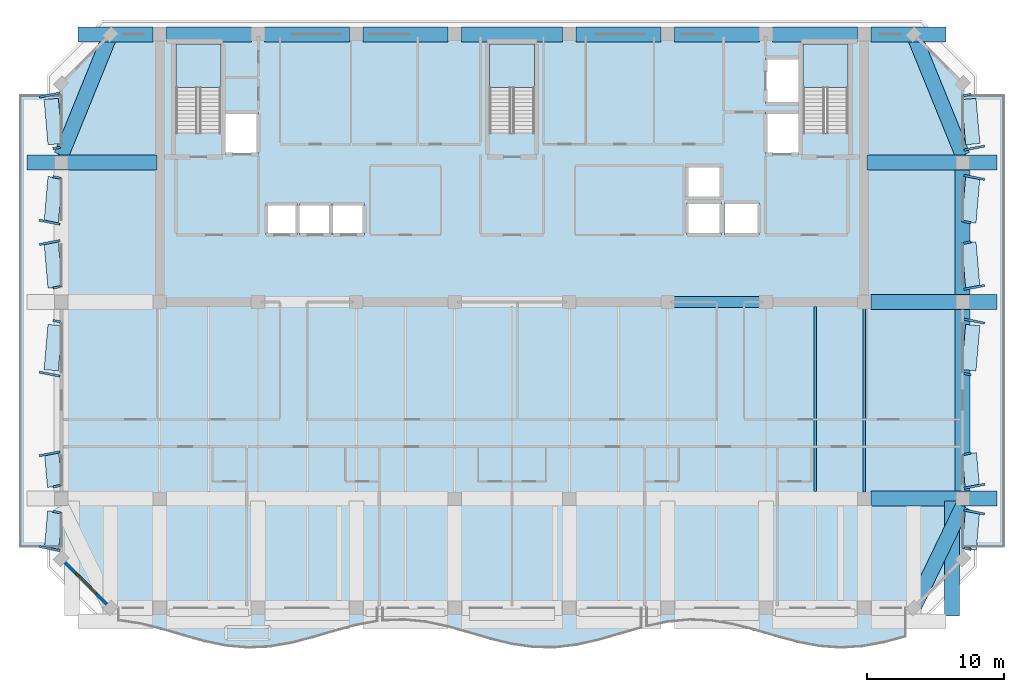
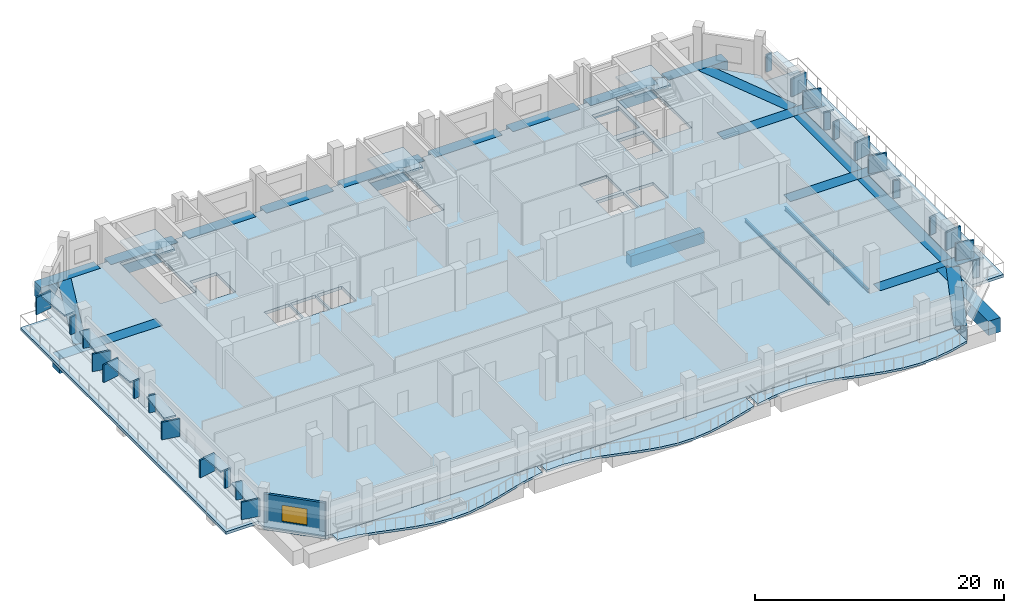
# One storey, part 2 of 12: 36 plates, 22 beams, 9 slabs, 1 wall, 1 window, 1 opening, 3 elements without a shape of their own.
"""IFC4 building model written with IfcOpenShell, lengths in metres."""

from ifc_helpers import new_model, si_unit, direction, frame, frame_2d, origin, origin_2d, place, context, subcontext, project, spatial, polyline, rectangle, i_section, outline, extrude, material, layer, layer_set, material_profile, profile_set, type_object, element, fill, aggregate, save


model = new_model("IFC4")

# Units and contexts
model_context = context("Model", 3, precision=1e-05, world=origin(), true_north=direction((0.0, 1.0)))
body_context = subcontext(model_context, "Body", "Model", "MODEL_VIEW")
ifc_project = project(units=[si_unit("LENGTHUNIT", "METRE"), si_unit("AREAUNIT", "SQUARE_METRE"), si_unit("VOLUMEUNIT", "CUBIC_METRE"), si_unit("PLANEANGLEUNIT", "RADIAN"), si_unit("MASSUNIT", "GRAM", prefix="KILO")], contexts=[model_context])

# Site, building, storey
site_placement = place(None, origin())
site = spatial("IfcSite", under=ifc_project, at=site_placement, CompositionType="ELEMENT")
building_placement = place(site_placement, origin())
building = spatial("IfcBuilding", under=site, at=building_placement, Name="Kaelvorn Grand Hotel", CompositionType="ELEMENT")
storey_placement = place(building_placement, frame((0.0, 0.0, 285.89990234375)))
storey = spatial("IfcBuildingStorey", under=building, at=storey_placement, Name="L70", CompositionType="ELEMENT", Elevation=285.89990234375)

# Beams
ifc_material_1 = material(Name="Steel S355", Category="steel")
ifc_material_profile_1 = material_profile(ifc_material_1, i_section(OverallWidth=0.169921875, OverallDepth=0.360107421875, WebThickness=0.008056640625, FlangeThickness=0.0126953125, FilletRadius=0.01806640625, at=origin_2d()), Name="IPE 360")
ifc_profile_set_1 = profile_set([ifc_material_profile_1], Name="Steel S355")
beam_type_1 = type_object("IfcBeamType", Name="BM-J-IPE360-S355", PredefinedType="JOIST", material=ifc_profile_set_1)
beam_1_placement = place(storey_placement, frame((64.199951171875, 15.534912109375, -0.47998046875), z_axis=(0.0, 1.0, 0.0), x_axis=(-1.0, 0.0, 0.0)))
element("IfcBeam", 1, at=beam_1_placement, inside=storey, type_object=beam_type_1, Name="L70 Composite Floor Joist JM-18", PredefinedType="JOIST", context=body_context, shape_type="SweptSolid", body=[
    extrude(i_section(OverallWidth=0.169921875, OverallDepth=0.360107421875, WebThickness=0.008056640625, FlangeThickness=0.0126953125, FilletRadius=0.01806640625, at=origin_2d()), origin(), (0.0, 0.0, 1.0), 13.525146484375),
])
beam_2_placement = place(storey_placement, frame((67.800048828125, 15.485107421875, -0.47998046875), z_axis=(0.0, 1.0, 0.0), x_axis=(-1.0, 0.0, 0.0)))
element("IfcBeam", 2, at=beam_2_placement, inside=storey, type_object=beam_type_1, Name="L70 Composite Floor Joist JM-19", PredefinedType="JOIST", context=body_context, shape_type="SweptSolid", body=[
    extrude(i_section(OverallWidth=0.169921875, OverallDepth=0.360107421875, WebThickness=0.008056640625, FlangeThickness=0.0126953125, FilletRadius=0.01806640625, at=origin_2d()), origin(), (0.0, 0.0, 1.0), 13.429931640625),
])
ifc_material_2 = material(Name="Concrete C60/75", Category="concrete")
ifc_material_profile_2 = material_profile(ifc_material_2, rectangle(XDim=0.800048828125, YDim=1.10009765625, at=origin_2d()), Name="RC LINTEL 800x1100")
ifc_profile_set_2 = profile_set([ifc_material_profile_2], Name="Concrete C60/75")
beam_type_2 = type_object("IfcBeamType", Name="BM-LIN-800x1100-C60", PredefinedType="LINTEL", material=ifc_profile_set_2)
beam_3_placement = place(storey_placement, frame((53.580078125, 29.39990234375, -0.849853515625), z_axis=(1.0, 0.0, 0.0), x_axis=(0.0, 1.0, 0.0)))
element("IfcBeam", 3, at=beam_3_placement, inside=storey, type_object=beam_type_2, Name="L70 Rear-Core Coupling Lintel Beam CB1-03", PredefinedType="LINTEL", context=body_context, shape_type="SweptSolid", body=[
    extrude(rectangle(XDim=0.800048828125, YDim=1.10009765625, at=origin_2d()), origin(), (0.0, 0.0, 1.0), 6.83984375),
])
ifc_material_profile_3 = material_profile(ifc_material_2, rectangle(XDim=1.10009765625, YDim=1.39990234375, at=origin_2d()), Name="RC TG 1100x1400")
ifc_profile_set_3 = profile_set([ifc_material_profile_3], Name="Concrete C60/75")
beam_type_3 = type_object("IfcBeamType", Name="BM-TG-1100x1400-C60", PredefinedType="USERDEFINED", material=ifc_profile_set_3)
beam_4_placement = place(storey_placement, frame((68.284912109375, 15.0, -0.699951171875), z_axis=(1.0, 0.0, 0.0), x_axis=(0.0, 1.0, 0.0)))
element("IfcBeam", 4, at=beam_4_placement, inside=storey, type_object=beam_type_3, Name="L70 Setback Spine Transfer Girder TG2-M15 05", ObjectType="TRANSFER GIRDER", PredefinedType="USERDEFINED", context=body_context, shape_type="SweptSolid", body=[
    extrude(rectangle(XDim=1.10009765625, YDim=1.39990234375, at=origin_2d()), origin(), (0.0, 0.0, 1.0), 9.22998046875),
])
beam_5_placement = place(storey_placement, frame((74.199951171875, 6.405029296875, -0.699951171875), z_axis=(0.0, 1.0, 0.0), x_axis=(-1.0, 0.0, 0.0)))
element("IfcBeam", 5, at=beam_5_placement, inside=storey, type_object=beam_type_3, Name="L70 Setback Radial Transfer Girder TG2-S10 01", ObjectType="TRANSFER GIRDER", PredefinedType="USERDEFINED", context=body_context, shape_type="SweptSolid", body=[
    extrude(rectangle(XDim=1.10009765625, YDim=1.39990234375, at=origin_2d()), origin(), (0.0, 0.0, 1.0), 8.409912109375),
])
beam_6_placement = place(storey_placement, frame((68.284912109375, 29.39990234375, -0.699951171875), z_axis=(1.0, 0.0, 0.0), x_axis=(0.0, 1.0, 0.0)))
element("IfcBeam", 6, at=beam_6_placement, inside=storey, type_object=beam_type_3, Name="L70 Setback Radial Transfer Girder TG2-E01 01", ObjectType="TRANSFER GIRDER", PredefinedType="USERDEFINED", context=body_context, shape_type="SweptSolid", body=[
    extrude(rectangle(XDim=1.10009765625, YDim=1.39990234375, at=origin_2d()), origin(), (0.0, 0.0, 1.0), 9.22998046875),
])
for number, where, z_axis, x_axis, name in (
    (7, (6.485107421875, 39.60009765625, -0.699951171875), (1.0, 0.0, 0.0), (0.0, 1.0, 0.0), "L70 Setback Radial Transfer Girder TG2-W02 01"),
    (8, (67.985107421875, 39.60009765625, -0.699951171875), (1.0, 0.0, 0.0), (0.0, 1.0, 0.0), "L70 Setback Radial Transfer Girder TG2-E02 01"),
):
    element("IfcBeam", number, at=place(storey_placement, frame(where, z_axis=z_axis, x_axis=x_axis)), inside=storey, type_object=beam_type_3, Name=name, ObjectType="TRANSFER GIRDER", PredefinedType="USERDEFINED", context=body_context, shape_type="SweptSolid", body=[
        extrude(rectangle(XDim=1.10009765625, YDim=1.39990234375, at=origin_2d()), origin(), (0.0, 0.0, 1.0), 9.52978515625),
    ])
beam_7_placement = place(storey_placement, frame((10.205078125, 49.0, -0.699951171875), z_axis=(1.0, 0.0, 0.0), x_axis=(0.0, 1.0, 0.0)))
element("IfcBeam", 9, at=beam_7_placement, inside=storey, type_object=beam_type_3, Name="L70 Setback North Transfer Girder 01", ObjectType="TRANSFER GIRDER", PredefinedType="USERDEFINED", context=body_context, shape_type="SweptSolid", body=[
    extrude(rectangle(XDim=1.10009765625, YDim=1.39990234375, at=origin_2d()), origin(), (0.0, 0.0, 1.0), 5.510009765625),
])
for number, where, z_axis, x_axis, name in (
    (10, (16.68505859375, 49.0, -0.699951171875), (1.0, 0.0, 0.0), (0.0, 1.0, 0.0), "L70 Setback North Transfer Girder 02"),
    (11, (23.885009765625, 49.0, -0.699951171875), (1.0, 0.0, 0.0), (0.0, 1.0, 0.0), "L70 Setback North Transfer Girder 03"),
    (12, (31.0849609375, 49.0, -0.699951171875), (1.0, 0.0, 0.0), (0.0, 1.0, 0.0), "L70 Setback North Transfer Girder 04"),
):
    element("IfcBeam", number, at=place(storey_placement, frame(where, z_axis=z_axis, x_axis=x_axis)), inside=storey, type_object=beam_type_3, Name=name, ObjectType="TRANSFER GIRDER", PredefinedType="USERDEFINED", context=body_context, shape_type="SweptSolid", body=[
        extrude(rectangle(XDim=1.10009765625, YDim=1.39990234375, at=origin_2d()), origin(), (0.0, 0.0, 1.0), 6.22998046875),
    ])
beam_8_placement = place(storey_placement, frame((38.284912109375, 49.0, -0.699951171875), z_axis=(1.0, 0.0, 0.0), x_axis=(0.0, 1.0, 0.0)))
element("IfcBeam", 13, at=beam_8_placement, inside=storey, type_object=beam_type_3, Name="L70 Setback North Transfer Girder 05", ObjectType="TRANSFER GIRDER", PredefinedType="USERDEFINED", context=body_context, shape_type="SweptSolid", body=[
    extrude(rectangle(XDim=1.10009765625, YDim=1.39990234375, at=origin_2d()), origin(), (0.0, 0.0, 1.0), 7.43017578125),
])
for number, where, z_axis, x_axis, name in (
    (14, (46.68505859375, 49.0, -0.699951171875), (1.0, 0.0, 0.0), (0.0, 1.0, 0.0), "L70 Setback North Transfer Girder 06"),
    (15, (53.885009765625, 49.0, -0.699951171875), (1.0, 0.0, 0.0), (0.0, 1.0, 0.0), "L70 Setback North Transfer Girder 07"),
    (16, (61.0849609375, 49.0, -0.699951171875), (1.0, 0.0, 0.0), (0.0, 1.0, 0.0), "L70 Setback North Transfer Girder 08"),
):
    element("IfcBeam", number, at=place(storey_placement, frame(where, z_axis=z_axis, x_axis=x_axis)), inside=storey, type_object=beam_type_3, Name=name, ObjectType="TRANSFER GIRDER", PredefinedType="USERDEFINED", context=body_context, shape_type="SweptSolid", body=[
        extrude(rectangle(XDim=1.10009765625, YDim=1.39990234375, at=origin_2d()), origin(), (0.0, 0.0, 1.0), 6.22998046875),
    ])
beam_9_placement = place(storey_placement, frame((68.284912109375, 49.0, -0.699951171875), z_axis=(1.0, 0.0, 0.0), x_axis=(0.0, 1.0, 0.0)))
element("IfcBeam", 17, at=beam_9_placement, inside=storey, type_object=beam_type_3, Name="L70 Setback North Transfer Girder 09", ObjectType="TRANSFER GIRDER", PredefinedType="USERDEFINED", context=body_context, shape_type="SweptSolid", body=[
    extrude(rectangle(XDim=1.10009765625, YDim=1.39990234375, at=origin_2d()), origin(), (0.0, 0.0, 1.0), 5.510009765625),
])
beam_10_placement = place(storey_placement, frame((75.0, 15.52490234375, -0.699951171875), z_axis=(0.0, 1.0, 0.0), x_axis=(-1.0, 0.0, 0.0)))
element("IfcBeam", 18, at=beam_10_placement, inside=storey, type_object=beam_type_3, Name="L70 Setback E Ring Transfer Girder 01", ObjectType="TRANSFER GIRDER", PredefinedType="USERDEFINED", context=body_context, shape_type="SweptSolid", body=[
    extrude(rectangle(XDim=1.10009765625, YDim=1.39990234375, at=origin_2d()), origin(), (0.0, 0.0, 1.0), 13.35009765625),
])
beam_11_placement = place(storey_placement, frame((75.0, 29.925048828125, -0.699951171875), z_axis=(0.0, 1.0, 0.0), x_axis=(-1.0, 0.0, 0.0)))
element("IfcBeam", 19, at=beam_11_placement, inside=storey, type_object=beam_type_3, Name="L70 Setback E Ring Transfer Girder 02", ObjectType="TRANSFER GIRDER", PredefinedType="USERDEFINED", context=body_context, shape_type="SweptSolid", body=[
    extrude(rectangle(XDim=1.10009765625, YDim=1.39990234375, at=origin_2d()), origin(), (0.0, 0.0, 1.0), 9.14990234375),
])
beam_12_placement = place(storey_placement, frame((71.39990234375, 7.0, -0.699951171875), z_axis=(0.435098896695, 0.9003826687, 0.0), x_axis=(-0.9003826687, 0.435098896695, 0.0)))
element("IfcBeam", 20, at=beam_12_placement, inside=storey, type_object=beam_type_3, Name="L70 Setback Chamfer Transfer Girder 2", ObjectType="TRANSFER GIRDER", PredefinedType="USERDEFINED", context=body_context, shape_type="SweptSolid", body=[
    extrude(rectangle(XDim=1.10009765625, YDim=1.39990234375, at=origin_2d()), origin(), (0.0, 0.0, 1.0), 8.274169921875),
])
for number, where, z_axis, x_axis, name in (
    (21, (75.0, 40.14990234375, -0.699951171875), (-0.376803331737, 0.926293284652, 0.0), (-0.926293284652, -0.376803331737, 0.0), "L70 Setback Chamfer Transfer Girder 3"),
    (22, (12.60009765625, 49.0, -0.699951171875), (-0.376803331737, -0.926293284652, 0.0), (0.926293284652, -0.376803331737, 0.0), "L70 Setback Chamfer Transfer Girder 4"),
):
    element("IfcBeam", number, at=place(storey_placement, frame(where, z_axis=z_axis, x_axis=x_axis)), inside=storey, type_object=beam_type_3, Name=name, ObjectType="TRANSFER GIRDER", PredefinedType="USERDEFINED", context=body_context, shape_type="SweptSolid", body=[
        extrude(rectangle(XDim=1.10009765625, YDim=1.39990234375, at=origin_2d()), origin(), (0.0, 0.0, 1.0), 9.55419921875),
    ])

# Plates
ifc_material_3 = material(Name="Precast concrete C45/55", Category="concrete")
ifc_layer_1 = layer(ifc_material_3, 0.159912109375)
ifc_layer_set_1 = layer_set([ifc_layer_1], Name="Precast concrete C45/55")
plate_type_1 = type_object("IfcPlateType", Name="PL-FRAME-DEEP-1550", PredefinedType="USERDEFINED", material=ifc_layer_set_1)
for number, where, z_axis, x_axis, name in (
    (23, (75.844970703125, 14.02490234375, 0.740234375), (0.0, 0.0, 1.0), (0.190808995377, 0.981627183448, 0.0), "L70 Tilted Precast Window Frame Fin R-E01"),
    (24, (75.844970703125, 15.909912109375, 0.7900390625), (0.0, 0.0, 1.0), (-0.190808995377, 0.981627183448, 0.0), "L70 Tilted Precast Window Frame Fin L-E02"),
    (25, (75.844970703125, 28.0, 0.81494140625), (0.0, 0.0, 1.0), (0.190808995377, 0.981627183448, 0.0), "L70 Tilted Precast Window Frame Fin R-E03"),
    (26, (75.844970703125, 30.47509765625, 0.740234375), (0.0, 0.0, 1.0), (-0.190808995377, 0.981627183448, 0.0), "L70 Tilted Precast Window Frame Fin L-E04"),
    (27, (75.844970703125, 38.52490234375, 0.740234375), (0.0, 0.0, 1.0), (0.190808995377, 0.981627183448, 0.0), "L70 Tilted Precast Window Frame Fin R-E05"),
    (28, (75.844970703125, 40.675048828125, 0.81494140625), (0.0, 0.0, 1.0), (-0.190808995377, 0.981627183448, 0.0), "L70 Tilted Precast Window Frame Fin L-E06"),
    (29, (8.155029296875, 11.344970703125, 0.740234375), (0.0, 0.0, 1.0), (0.190808995377, 0.981627183448, 0.0), "L70 Tilted Precast Window Frame Fin L-W01"),
    (30, (8.155029296875, 18.2900390625, 0.7900390625), (0.0, 0.0, 1.0), (-0.190808995377, 0.981627183448, 0.0), "L70 Tilted Precast Window Frame Fin R-W02"),
    (31, (8.155029296875, 24.1201171875, 0.81494140625), (0.0, 0.0, 1.0), (0.190808995377, 0.981627183448, 0.0), "L70 Tilted Precast Window Frame Fin L-W03"),
    (32, (8.155029296875, 33.7548828125, 0.740234375), (0.0, 0.0, 1.0), (-0.190808995377, 0.981627183448, 0.0), "L70 Tilted Precast Window Frame Fin R-W04"),
    (33, (8.155029296875, 35.2451171875, 0.740234375), (0.0, 0.0, 1.0), (0.190808995377, 0.981627183448, 0.0), "L70 Tilted Precast Window Frame Fin L-W05"),
    (34, (8.155029296875, 44.554931640625, 0.81494140625), (0.0, 0.0, 1.0), (-0.190808995377, 0.981627183448, 0.0), "L70 Tilted Precast Window Frame Fin R-W06"),
):
    element("IfcPlate", number, at=place(storey_placement, frame(where, z_axis=z_axis, x_axis=x_axis)), inside=storey, type_object=plate_type_1, Name=name, ObjectType="FLANGE_PLATE", PredefinedType="USERDEFINED", context=body_context, shape_type="SweptSolid", body=[
        extrude(rectangle(XDim=0.159912109375, YDim=1.550048828125, at=origin_2d()), origin(), (0.0, 0.0, 1.0), 1.719970703125),
    ])
ifc_layer_2 = layer(ifc_material_3, 0.159912109375)
ifc_layer_set_2 = layer_set([ifc_layer_2], Name="Precast concrete C45/55")
plate_type_2 = type_object("IfcPlateType", Name="PL-FRAME-HEAD-1050", PredefinedType="USERDEFINED", material=ifc_layer_set_2)
plate_1_placement = place(storey_placement, frame((75.594970703125, 12.68505859375, 2.35009765625), z_axis=(0.0, 0.0, 1.0), x_axis=(0.086286365798, 0.996270376493, 0.0)))
element("IfcPlate", 35, at=plate_1_placement, inside=storey, type_object=plate_type_2, Name="L70 Precast Window Frame Head Hood H-E01", ObjectType="FLANGE_PLATE", PredefinedType="USERDEFINED", context=body_context, shape_type="SweptSolid", body=[
    extrude(rectangle(XDim=2.760009765625, YDim=1.050048828125, at=origin_2d()), origin(), (0.0, 0.0, 1.0), 0.159912109375),
])
plate_2_placement = place(storey_placement, frame((75.594970703125, 17.10009765625, 2.4501953125), z_axis=(0.0, 0.0, 1.0), x_axis=(-0.086286365798, 0.996270376493, 0.0)))
element("IfcPlate", 36, at=plate_2_placement, inside=storey, type_object=plate_type_2, Name="L70 Precast Window Frame Head Hood H-E02", ObjectType="FLANGE_PLATE", PredefinedType="USERDEFINED", context=body_context, shape_type="SweptSolid", body=[
    extrude(rectangle(XDim=2.4599609375, YDim=1.050048828125, at=origin_2d()), origin(), (0.0, 0.0, 1.0), 0.159912109375),
])
for number, where, z_axis, x_axis, name in (
    (37, (75.594970703125, 26.06005859375, 2.5), (0.0, 0.0, 1.0), (0.086286365798, 0.996270376493, 0.0), "L70 Precast Window Frame Head Hood H-E03"),
    (38, (75.594970703125, 32.114990234375, 2.35009765625), (0.0, 0.0, 1.0), (-0.086286365798, 0.996270376493, 0.0), "L70 Precast Window Frame Head Hood H-E04"),
    (39, (75.594970703125, 36.885009765625, 2.35009765625), (0.0, 0.0, 1.0), (0.086286365798, 0.996270376493, 0.0), "L70 Precast Window Frame Head Hood H-E05"),
    (40, (75.594970703125, 42.614990234375, 2.5), (0.0, 0.0, 1.0), (-0.086286365798, 0.996270376493, 0.0), "L70 Precast Window Frame Head Hood H-E06"),
):
    element("IfcPlate", number, at=place(storey_placement, frame(where, z_axis=z_axis, x_axis=x_axis)), inside=storey, type_object=plate_type_2, Name=name, ObjectType="FLANGE_PLATE", PredefinedType="USERDEFINED", context=body_context, shape_type="SweptSolid", body=[
        extrude(rectangle(XDim=3.320068359375, YDim=1.050048828125, at=origin_2d()), origin(), (0.0, 0.0, 1.0), 0.159912109375),
    ])
plate_3_placement = place(storey_placement, frame((8.405029296875, 12.68505859375, 2.35009765625), z_axis=(0.0, 0.0, 1.0), x_axis=(0.086286365798, 0.996270376493, 0.0)))
element("IfcPlate", 41, at=plate_3_placement, inside=storey, type_object=plate_type_2, Name="L70 Precast Window Frame Head Hood H-W01", ObjectType="FLANGE_PLATE", PredefinedType="USERDEFINED", context=body_context, shape_type="SweptSolid", body=[
    extrude(rectangle(XDim=2.760009765625, YDim=1.050048828125, at=origin_2d()), origin(), (0.0, 0.0, 1.0), 0.159912109375),
])
plate_4_placement = place(storey_placement, frame((8.405029296875, 17.10009765625, 2.4501953125), z_axis=(0.0, 0.0, 1.0), x_axis=(-0.086286365798, 0.996270376493, 0.0)))
element("IfcPlate", 42, at=plate_4_placement, inside=storey, type_object=plate_type_2, Name="L70 Precast Window Frame Head Hood H-W02", ObjectType="FLANGE_PLATE", PredefinedType="USERDEFINED", context=body_context, shape_type="SweptSolid", body=[
    extrude(rectangle(XDim=2.4599609375, YDim=1.050048828125, at=origin_2d()), origin(), (0.0, 0.0, 1.0), 0.159912109375),
])
for number, where, z_axis, x_axis, name in (
    (43, (8.405029296875, 26.06005859375, 2.5), (0.0, 0.0, 1.0), (0.086286365798, 0.996270376493, 0.0), "L70 Precast Window Frame Head Hood H-W03"),
    (44, (8.405029296875, 32.114990234375, 2.35009765625), (0.0, 0.0, 1.0), (-0.086286365798, 0.996270376493, 0.0), "L70 Precast Window Frame Head Hood H-W04"),
    (45, (8.405029296875, 36.885009765625, 2.35009765625), (0.0, 0.0, 1.0), (0.086286365798, 0.996270376493, 0.0), "L70 Precast Window Frame Head Hood H-W05"),
    (46, (8.405029296875, 42.614990234375, 2.5), (0.0, 0.0, 1.0), (-0.086286365798, 0.996270376493, 0.0), "L70 Precast Window Frame Head Hood H-W06"),
):
    element("IfcPlate", number, at=place(storey_placement, frame(where, z_axis=z_axis, x_axis=x_axis)), inside=storey, type_object=plate_type_2, Name=name, ObjectType="FLANGE_PLATE", PredefinedType="USERDEFINED", context=body_context, shape_type="SweptSolid", body=[
        extrude(rectangle(XDim=3.320068359375, YDim=1.050048828125, at=origin_2d()), origin(), (0.0, 0.0, 1.0), 0.159912109375),
    ])
ifc_layer_3 = layer(ifc_material_3, 0.159912109375)
ifc_layer_set_3 = layer_set([ifc_layer_3], Name="Precast concrete C45/55")
plate_type_3 = type_object("IfcPlateType", Name="PL-FRAME-SHAL-550", PredefinedType="USERDEFINED", material=ifc_layer_set_3)
for number, where, z_axis, x_axis, name in (
    (47, (75.344970703125, 11.344970703125, 0.740234375), (0.0, 0.0, 1.0), (0.190808995377, 0.981627183448, 0.0), "L70 Tilted Precast Window Frame Fin L-E01"),
    (48, (75.344970703125, 18.2900390625, 0.7900390625), (0.0, 0.0, 1.0), (-0.190808995377, 0.981627183448, 0.0), "L70 Tilted Precast Window Frame Fin R-E02"),
    (49, (75.344970703125, 24.1201171875, 0.81494140625), (0.0, 0.0, 1.0), (0.190808995377, 0.981627183448, 0.0), "L70 Tilted Precast Window Frame Fin L-E03"),
    (50, (75.344970703125, 33.7548828125, 0.740234375), (0.0, 0.0, 1.0), (-0.190808995377, 0.981627183448, 0.0), "L70 Tilted Precast Window Frame Fin R-E04"),
    (51, (75.344970703125, 35.2451171875, 0.740234375), (0.0, 0.0, 1.0), (0.190808995377, 0.981627183448, 0.0), "L70 Tilted Precast Window Frame Fin L-E05"),
    (52, (75.344970703125, 44.554931640625, 0.81494140625), (0.0, 0.0, 1.0), (-0.190808995377, 0.981627183448, 0.0), "L70 Tilted Precast Window Frame Fin R-E06"),
    (53, (8.655029296875, 14.02490234375, 0.740234375), (0.0, 0.0, 1.0), (0.190808995377, 0.981627183448, 0.0), "L70 Tilted Precast Window Frame Fin R-W01"),
    (54, (8.655029296875, 15.909912109375, 0.7900390625), (0.0, 0.0, 1.0), (-0.190808995377, 0.981627183448, 0.0), "L70 Tilted Precast Window Frame Fin L-W02"),
    (55, (8.655029296875, 28.0, 0.81494140625), (0.0, 0.0, 1.0), (0.190808995377, 0.981627183448, 0.0), "L70 Tilted Precast Window Frame Fin R-W03"),
    (56, (8.655029296875, 30.47509765625, 0.740234375), (0.0, 0.0, 1.0), (-0.190808995377, 0.981627183448, 0.0), "L70 Tilted Precast Window Frame Fin L-W04"),
    (57, (8.655029296875, 38.52490234375, 0.740234375), (0.0, 0.0, 1.0), (0.190808995377, 0.981627183448, 0.0), "L70 Tilted Precast Window Frame Fin R-W05"),
    (58, (8.655029296875, 40.675048828125, 0.81494140625), (0.0, 0.0, 1.0), (-0.190808995377, 0.981627183448, 0.0), "L70 Tilted Precast Window Frame Fin L-W06"),
):
    element("IfcPlate", number, at=place(storey_placement, frame(where, z_axis=z_axis, x_axis=x_axis)), inside=storey, type_object=plate_type_3, Name=name, ObjectType="FLANGE_PLATE", PredefinedType="USERDEFINED", context=body_context, shape_type="SweptSolid", body=[
        extrude(rectangle(XDim=0.159912109375, YDim=0.550048828125, at=origin_2d()), origin(), (0.0, 0.0, 1.0), 1.719970703125),
    ])

# Slabs
ifc_material_4 = material(Name="Concrete C40/50", Category="concrete")
ifc_layer_4 = layer(ifc_material_4, 0.219970703125)
ifc_layer_set_4 = layer_set([ifc_layer_4], Name="Concrete C40/50")
slab_type_1 = type_object("IfcSlabType", Name="SLB-BALC-220-C40", PredefinedType="FLOOR", material=ifc_layer_set_4)
slab_1_placement = place(storey_placement, frame((0.0, 0.0, -0.219970703125)))
element("IfcSlab", 59, at=slab_1_placement, inside=storey, type_object=slab_type_1, Name="L70 Scalloped Wave Balcony Slab 1", PredefinedType="FLOOR", context=body_context, shape_type="SweptSolid", body=[
    extrude(outline(polyline([(13.199951171875, 6.099853515625), (14.77783203125, 5.858642578125), (16.35546875, 5.465576171875), (17.933349609375, 5.001953125), (19.51123046875, 4.56396484375), (21.0888671875, 4.241943359375), (22.666748046875, 4.102783203125), (24.244384765625, 4.175048828125), (25.822265625, 4.444091796875), (27.39990234375, 4.85400390625), (28.977783203125, 5.31982421875), (30.5556640625, 5.74560546875), (32.13330078125, 6.042724609375), (32.13330078125, 7.0), (13.199951171875, 7.0), (13.199951171875, 6.099853515625)])), origin(), (0.0, 0.0, 1.0), 0.219970703125),
])
slab_2_placement = place(storey_placement, frame((0.0, 0.0, -0.219970703125)))
element("IfcSlab", 60, at=slab_2_placement, inside=storey, type_object=slab_type_1, Name="L70 Scalloped Wave Balcony Slab 2", PredefinedType="FLOOR", context=body_context, shape_type="SweptSolid", body=[
    extrude(outline(polyline([(32.533447265625, 6.089599609375), (34.111083984375, 6.143310546875), (35.68896484375, 5.986328125), (37.2666015625, 5.651123046875), (38.844482421875, 5.20703125), (40.422119140625, 4.745849609375), (42.0, 4.36328125), (43.577880859375, 4.13818359375), (45.155517578125, 4.117431640625), (46.7333984375, 4.30517578125), (48.31103515625, 4.66259765625), (49.888916015625, 5.11572265625), (51.466552734375, 5.57080078125), (51.466552734375, 7.0), (32.533447265625, 7.0), (32.533447265625, 6.089599609375)])), origin(), (0.0, 0.0, 1.0), 0.219970703125),
])
slab_3_placement = place(storey_placement, frame((0.0, 0.0, -0.219970703125)))
element("IfcSlab", 61, at=slab_3_placement, inside=storey, type_object=slab_type_1, Name="L70 Scalloped Wave Balcony Slab 3", PredefinedType="FLOOR", context=body_context, shape_type="SweptSolid", body=[
    extrude(outline(polyline([(51.86669921875, 5.6748046875), (53.4443359375, 6.001220703125), (55.022216796875, 6.146240234375), (56.60009765625, 6.079833984375), (58.177734375, 5.815673828125), (59.755615234375, 5.40869140625), (61.333251953125, 4.943115234375), (62.9111328125, 4.51513671875), (64.48876953125, 4.213134765625), (66.066650390625, 4.10009765625), (67.64453125, 4.19921875), (69.22216796875, 4.48974609375), (70.800048828125, 4.911865234375), (70.800048828125, 7.0), (51.86669921875, 7.0), (51.86669921875, 5.6748046875)])), origin(), (0.0, 0.0, 1.0), 0.219970703125),
])
ifc_layer_5 = layer(ifc_material_4, 0.300048828125)
ifc_layer_set_5 = layer_set([ifc_layer_5], Name="Concrete C40/50")
slab_type_2 = type_object("IfcSlabType", Name="SLB-FLR-300-C40", PredefinedType="FLOOR", material=ifc_layer_set_5)
slab_4_placement = place(storey_placement, frame((0.0, 0.0, -0.2998046875)))
element("IfcSlab", 62, at=slab_4_placement, inside=storey, type_object=slab_type_2, Name="L70 Indoor Suspended Floor Slab", PredefinedType="FLOOR", context=body_context, shape_type="SweptSolid", body=[
    extrude(outline(polyline([(12.60009765625, 7.0), (71.39990234375, 7.0), (75.0, 10.60009765625), (75.0, 45.39990234375), (71.39990234375, 49.0), (12.60009765625, 49.0), (9.0, 45.39990234375), (9.0, 10.60009765625), (12.60009765625, 7.0)]), holes=[polyline([(17.39990234375, 41.760009765625), (17.39990234375, 48.300048828125), (20.679931640625, 48.300048828125), (20.679931640625, 41.760009765625), (17.39990234375, 41.760009765625)]), polyline([(40.360107421875, 41.760009765625), (40.360107421875, 48.300048828125), (43.639892578125, 48.300048828125), (43.639892578125, 41.760009765625), (40.360107421875, 41.760009765625)]), polyline([(63.320068359375, 41.760009765625), (63.320068359375, 48.300048828125), (66.60009765625, 48.300048828125), (66.60009765625, 41.760009765625), (63.320068359375, 41.760009765625)]), polyline([(24.0, 34.300048828125), (24.0, 36.60009765625), (26.300048828125, 36.60009765625), (26.300048828125, 34.300048828125), (24.0, 34.300048828125)]), polyline([(26.449951171875, 34.300048828125), (26.449951171875, 36.60009765625), (28.75, 36.60009765625), (28.75, 34.300048828125), (26.449951171875, 34.300048828125)]), polyline([(28.89990234375, 34.300048828125), (28.89990234375, 36.60009765625), (31.199951171875, 36.60009765625), (31.199951171875, 34.300048828125), (28.89990234375, 34.300048828125)]), polyline([(54.800048828125, 34.300048828125), (54.800048828125, 36.699951171875), (57.35009765625, 36.699951171875), (57.35009765625, 34.300048828125), (54.800048828125, 34.300048828125)]), polyline([(57.550048828125, 34.300048828125), (57.550048828125, 36.699951171875), (60.10009765625, 36.699951171875), (60.10009765625, 34.300048828125), (57.550048828125, 34.300048828125)]), polyline([(54.800048828125, 37.0), (54.800048828125, 39.39990234375), (57.35009765625, 39.39990234375), (57.35009765625, 37.0), (54.800048828125, 37.0)]), polyline([(21.0, 40.199951171875), (21.0, 43.300048828125), (23.449951171875, 43.300048828125), (23.449951171875, 40.199951171875), (21.0, 40.199951171875)]), polyline([(60.550048828125, 40.199951171875), (60.550048828125, 43.300048828125), (63.0, 43.300048828125), (63.0, 40.199951171875), (60.550048828125, 40.199951171875)]), polyline([(60.550048828125, 43.89990234375), (60.550048828125, 47.300048828125), (63.0, 47.300048828125), (63.0, 43.89990234375), (60.550048828125, 43.89990234375)])]), origin(), (0.0, 0.0, 1.0), 0.2998046875),
])

# Stair, slab
stair_type = type_object("IfcStairType", Name="STR-DOG-1560-R10", PredefinedType="HALF_TURN_STAIR", material=ifc_material_4)
stair_1_placement = place(storey_placement, origin())
stair_1 = element("IfcStair", 63, at=stair_1_placement, inside=storey, type_object=stair_type, Name="L70 West Core Exit Stair ST1", PredefinedType="HALF_TURN_STAIR")
ifc_layer_6 = layer(ifc_material_4, 0.199951171875)
ifc_layer_set_6 = layer_set([ifc_layer_6], Name="Concrete C40/50")
slab_type_3 = type_object("IfcSlabType", Name="SLB-LAND-200-C40", PredefinedType="LANDING", material=ifc_layer_set_6)
slab_5_placement = place(storey_placement, frame((0.0, 0.0, 2.0)))
slab_5 = element("IfcSlab", 64, at=slab_5_placement, type_object=slab_type_3, Name="ST1 landing 1", PredefinedType="LANDING", context=body_context, shape_type="SweptSolid", body=[
    extrude(outline(polyline([(20.679931640625, 45.1201171875), (20.679931640625, 48.300048828125), (17.39990234375, 48.300048828125), (17.39990234375, 45.1201171875), (20.679931640625, 45.1201171875)])), origin(), (0.0, 0.0, 1.0), 0.2001953125),
])
aggregate(stair_1, [slab_5])

stair_2_placement = place(storey_placement, origin())
stair_2 = element("IfcStair", 65, at=stair_2_placement, inside=storey, type_object=stair_type, Name="L70 Central Core Exit Stair ST2", PredefinedType="HALF_TURN_STAIR")
slab_6_placement = place(storey_placement, frame((0.0, 0.0, 2.0)))
slab_6 = element("IfcSlab", 66, at=slab_6_placement, type_object=slab_type_3, Name="ST2 landing 1", PredefinedType="LANDING", context=body_context, shape_type="SweptSolid", body=[
    extrude(outline(polyline([(43.639892578125, 45.1201171875), (43.639892578125, 48.300048828125), (40.360107421875, 48.300048828125), (40.360107421875, 45.1201171875), (43.639892578125, 45.1201171875)])), origin(), (0.0, 0.0, 1.0), 0.2001953125),
])
aggregate(stair_2, [slab_6])

stair_3_placement = place(storey_placement, origin())
stair_3 = element("IfcStair", 67, at=stair_3_placement, inside=storey, type_object=stair_type, Name="L70 East Core Exit Stair ST3", PredefinedType="HALF_TURN_STAIR")
slab_7_placement = place(storey_placement, frame((0.0, 0.0, 2.0)))
slab_7 = element("IfcSlab", 68, at=slab_7_placement, type_object=slab_type_3, Name="ST3 landing 1", PredefinedType="LANDING", context=body_context, shape_type="SweptSolid", body=[
    extrude(outline(polyline([(66.60009765625, 45.1201171875), (66.60009765625, 48.300048828125), (63.320068359375, 48.300048828125), (63.320068359375, 45.1201171875), (66.60009765625, 45.1201171875)])), origin(), (0.0, 0.0, 1.0), 0.2001953125),
])
aggregate(stair_3, [slab_7])

# Slabs
ifc_layer_7 = layer(ifc_material_4, 0.280029296875)
ifc_layer_set_7 = layer_set([ifc_layer_7], Name="Concrete C40/50")
slab_type_4 = type_object("IfcSlabType", Name="SLB-TERR-280-C40", PredefinedType="ROOF", material=ifc_layer_set_7)
slab_8_placement = place(storey_placement, frame((0.0, 0.0, -0.27978515625)))
element("IfcSlab", 69, at=slab_8_placement, inside=storey, type_object=slab_type_4, Name="L70 Setback Sky Terrace Roof Slab W", PredefinedType="ROOF", context=body_context, shape_type="SweptSolid", body=[
    extrude(outline(polyline([(6.0, 11.5), (9.0, 11.5), (9.0, 44.5), (6.0, 44.5), (6.0, 11.5)])), origin(), (0.0, 0.0, 1.0), 0.27978515625),
])
slab_9_placement = place(storey_placement, frame((0.0, 0.0, -0.27978515625)))
element("IfcSlab", 70, at=slab_9_placement, inside=storey, type_object=slab_type_4, Name="L70 Setback Sky Terrace Roof Slab E", PredefinedType="ROOF", context=body_context, shape_type="SweptSolid", body=[
    extrude(outline(polyline([(75.0, 11.5), (78.0, 11.5), (78.0, 44.5), (75.0, 44.5), (75.0, 11.5)])), origin(), (0.0, 0.0, 1.0), 0.27978515625),
])

# Wall, opening, window
ifc_layer_8 = layer(ifc_material_4, 0.219970703125)
ifc_layer_set_8 = layer_set([ifc_layer_8], Name="Concrete C40/50")
wall_type = type_object("IfcWallType", Name="WL-EXT-220-C40", PredefinedType="SOLIDWALL", material=ifc_layer_set_8)
wall_placement = place(storey_placement, frame((9.0, 10.60009765625, 0.0), z_axis=(0.0, 0.0, 1.0), x_axis=(0.707106781187, -0.707106781187, 0.0)))
wall = element("IfcWall", 71, at=wall_placement, inside=storey, type_object=wall_type, Name="L70 Exterior Architectural Concrete Wall 08", PredefinedType="SOLIDWALL", context=body_context, shape_type="SweptSolid", body=[
    extrude(rectangle(XDim=5.09130859375, YDim=0.219970703125, at=frame_2d((2.545654296875, 0.0))), origin(), (0.0, 0.0, 1.0), 3.300048828125),
])
opening_placement = place(wall_placement, frame((1.49560546875, 0.0, 0.85009765625)))
opening = element("IfcOpeningElement", 72, at=opening_placement, cuts=wall, Name="Opening W7", PredefinedType="OPENING", context=body_context, shape_type="SweptSolid", body=[
    extrude(rectangle(XDim=2.10009765625, YDim=1.60009765625, at=frame_2d((1.050048828125, 0.800048828125))), frame((0.0, 0.1201171875, 0.0), z_axis=(0.0, -1.0, 0.0), x_axis=(1.0, 0.0, 0.0)), (0.0, 0.0, 1.0), 0.239990234375),
])
ifc_material_5 = material(Name="Laminated Low-E Glass", Category="glass")
window_type = type_object("IfcWindowType", Name="WIN-CHM-2100x1600", PartitioningType="SINGLE_PANEL", PredefinedType="WINDOW", material=ifc_material_5)
window_placement = place(opening_placement, origin())
window = element("IfcWindow", 73, at=window_placement, inside=storey, type_object=window_type, Name="L70 Chamfered 45-Degree Corner Window SW", OverallHeight=1.60009765625, OverallWidth=2.10009765625, PartitioningType="SINGLE_PANEL", PredefinedType="WINDOW", context=body_context, shape_type="SweptSolid", body=[
    extrude(rectangle(XDim=2.10009765625, YDim=1.60009765625, at=frame_2d((1.050048828125, 0.800048828125))), frame((0.0, 0.030029296875, 0.0), z_axis=(0.0, -1.0, 0.0), x_axis=(1.0, 0.0, 0.0)), (0.0, 0.0, 1.0), 0.06005859375),
])
fill(opening, window)

save(model, "model.ifc")
